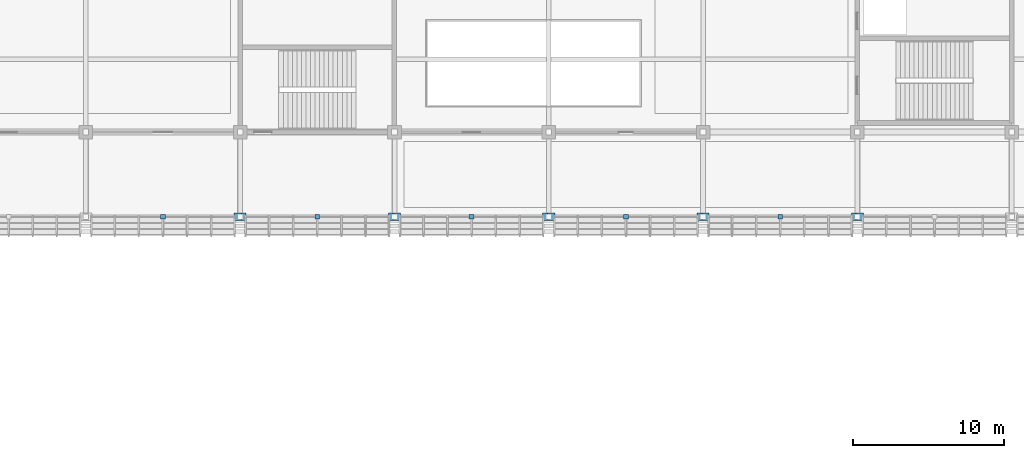
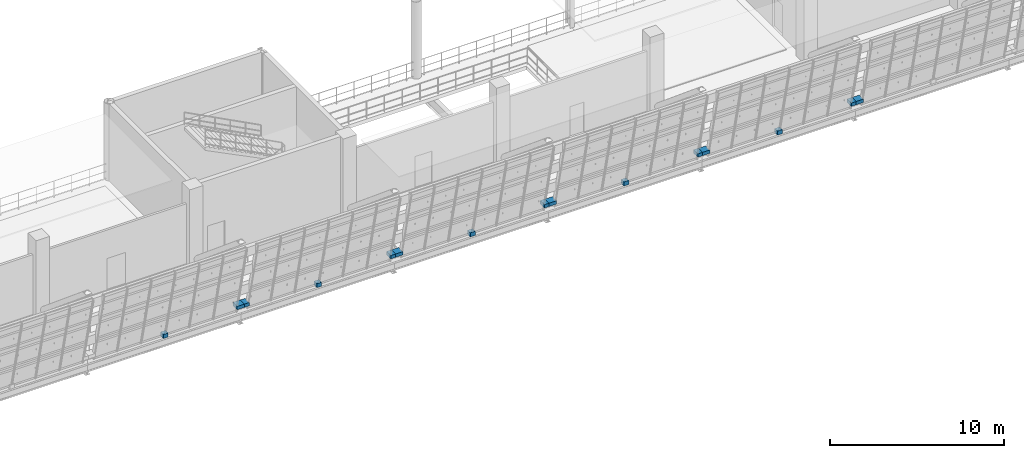
# One storey, part 143 of 175: 15 discrete accessories.
"""IFC4 building model written with IfcOpenShell, lengths in metres."""

from ifc_helpers import new_model, si_unit, direction, frame, origin, origin_2d, place, context, subcontext, project, spatial, rectangle, extrude, material, type_object, element, save


model = new_model("IFC4")

# Units and contexts
model_context = context("Model", 3, precision=1e-05, world=origin(), true_north=direction((0.0, 1.0)))
body_context = subcontext(model_context, "Body", "Model", "MODEL_VIEW")
ifc_project = project(units=[si_unit("LENGTHUNIT", "METRE"), si_unit("AREAUNIT", "SQUARE_METRE"), si_unit("VOLUMEUNIT", "CUBIC_METRE"), si_unit("PLANEANGLEUNIT", "RADIAN"), si_unit("MASSUNIT", "GRAM", prefix="KILO")], contexts=[model_context])

# Site, building, storey
site_placement = place(None, origin())
site = spatial("IfcSite", under=ifc_project, at=site_placement, CompositionType="ELEMENT")
building_placement = place(site_placement, origin())
building = spatial("IfcBuilding", under=site, at=building_placement, Name="Brelvane Convention Centre", CompositionType="ELEMENT")
storey_placement = place(building_placement, frame((0.0, 0.0, 5.39990234375)))
storey = spatial("IfcBuildingStorey", under=building, at=storey_placement, Name="L01", CompositionType="ELEMENT", Elevation=5.39990234375)

# Discrete accessories
ifc_material = material(Name="Steel E350 (350 MPa)", Category="steel")
discrete_accessory_type = type_object("IfcDiscreteAccessoryType", Name="Facade Outrigger Bracket BRK-02", PredefinedType="BRACKET", material=ifc_material)
discrete_accessory_1_placement = place(storey_placement, frame((81.43994140625, 13.60009765625, 0.22998046875), z_axis=(0.0, 0.0, 1.0), x_axis=(1.0, 0.0, 0.0)))
element("IfcDiscreteAccessory", 1, at=discrete_accessory_1_placement, inside=storey, type_object=discrete_accessory_type, Name="Curtain Wall Anchor Bracket L01-HULL-S-L01-08-R", PredefinedType="BRACKET", context=body_context, shape_type="SweptSolid", body=[
    extrude(rectangle(XDim=0.47998046875, YDim=0.47998046875, at=origin_2d()), origin(), (0.0, 0.0, 1.0), 0.239990234375),
])
discrete_accessory_2_placement = place(storey_placement, frame((76.5, 13.60009765625, -0.14013671875), z_axis=(0.0, 0.0, 1.0), x_axis=(1.0, 0.0, 0.0)))
element("IfcDiscreteAccessory", 2, at=discrete_accessory_2_placement, inside=storey, type_object=discrete_accessory_type, Name="Curtain Wall Anchor Bracket L01-HULL-S-L01-08-B", PredefinedType="BRACKET", context=body_context, shape_type="SweptSolid", body=[
    extrude(rectangle(XDim=0.320068359375, YDim=0.320068359375, at=origin_2d()), origin(), (0.0, 0.0, 1.0), 0.280029296875),
])
for number, where, z_axis, x_axis, name in (
    (3, (81.760009765625, 13.60009765625, 0.22998046875), (0.0, 0.0, 1.0), (1.0, 0.0, 0.0), "Curtain Wall Anchor Bracket L01-HULL-S-L01-09-L"),
    (4, (91.639892578125, 13.60009765625, 0.22998046875), (0.0, 0.0, 1.0), (1.0, 0.0, 0.0), "Curtain Wall Anchor Bracket L01-HULL-S-L01-09-R"),
):
    element("IfcDiscreteAccessory", number, at=place(storey_placement, frame(where, z_axis=z_axis, x_axis=x_axis)), inside=storey, type_object=discrete_accessory_type, Name=name, PredefinedType="BRACKET", context=body_context, shape_type="SweptSolid", body=[
        extrude(rectangle(XDim=0.47998046875, YDim=0.47998046875, at=origin_2d()), origin(), (0.0, 0.0, 1.0), 0.239990234375),
    ])
discrete_accessory_3_placement = place(storey_placement, frame((86.699951171875, 13.60009765625, -0.14013671875), z_axis=(0.0, 0.0, 1.0), x_axis=(1.0, 0.0, 0.0)))
element("IfcDiscreteAccessory", 5, at=discrete_accessory_3_placement, inside=storey, type_object=discrete_accessory_type, Name="Curtain Wall Anchor Bracket L01-HULL-S-L01-09-B", PredefinedType="BRACKET", context=body_context, shape_type="SweptSolid", body=[
    extrude(rectangle(XDim=0.320068359375, YDim=0.320068359375, at=origin_2d()), origin(), (0.0, 0.0, 1.0), 0.280029296875),
])
for number, where, z_axis, x_axis, name in (
    (6, (91.9599609375, 13.60009765625, 0.22998046875), (0.0, 0.0, 1.0), (1.0, 0.0, 0.0), "Curtain Wall Anchor Bracket L01-HULL-S-L01-10-L"),
    (7, (101.840087890625, 13.60009765625, 0.22998046875), (0.0, 0.0, 1.0), (1.0, 0.0, 0.0), "Curtain Wall Anchor Bracket L01-HULL-S-L01-10-R"),
):
    element("IfcDiscreteAccessory", number, at=place(storey_placement, frame(where, z_axis=z_axis, x_axis=x_axis)), inside=storey, type_object=discrete_accessory_type, Name=name, PredefinedType="BRACKET", context=body_context, shape_type="SweptSolid", body=[
        extrude(rectangle(XDim=0.47998046875, YDim=0.47998046875, at=origin_2d()), origin(), (0.0, 0.0, 1.0), 0.239990234375),
    ])
discrete_accessory_4_placement = place(storey_placement, frame((96.89990234375, 13.60009765625, -0.14013671875), z_axis=(0.0, 0.0, 1.0), x_axis=(1.0, 0.0, 0.0)))
element("IfcDiscreteAccessory", 8, at=discrete_accessory_4_placement, inside=storey, type_object=discrete_accessory_type, Name="Curtain Wall Anchor Bracket L01-HULL-S-L01-10-B", PredefinedType="BRACKET", context=body_context, shape_type="SweptSolid", body=[
    extrude(rectangle(XDim=0.320068359375, YDim=0.320068359375, at=origin_2d()), origin(), (0.0, 0.0, 1.0), 0.280029296875),
])
for number, where, z_axis, x_axis, name in (
    (9, (102.159912109375, 13.60009765625, 0.22998046875), (0.0, 0.0, 1.0), (1.0, 0.0, 0.0), "Curtain Wall Anchor Bracket L01-HULL-S-L01-11-L"),
    (10, (112.0400390625, 13.60009765625, 0.22998046875), (0.0, 0.0, 1.0), (1.0, 0.0, 0.0), "Curtain Wall Anchor Bracket L01-HULL-S-L01-11-R"),
):
    element("IfcDiscreteAccessory", number, at=place(storey_placement, frame(where, z_axis=z_axis, x_axis=x_axis)), inside=storey, type_object=discrete_accessory_type, Name=name, PredefinedType="BRACKET", context=body_context, shape_type="SweptSolid", body=[
        extrude(rectangle(XDim=0.47998046875, YDim=0.47998046875, at=origin_2d()), origin(), (0.0, 0.0, 1.0), 0.239990234375),
    ])
discrete_accessory_5_placement = place(storey_placement, frame((107.10009765625, 13.60009765625, -0.14013671875), z_axis=(0.0, 0.0, 1.0), x_axis=(1.0, 0.0, 0.0)))
element("IfcDiscreteAccessory", 11, at=discrete_accessory_5_placement, inside=storey, type_object=discrete_accessory_type, Name="Curtain Wall Anchor Bracket L01-HULL-S-L01-11-B", PredefinedType="BRACKET", context=body_context, shape_type="SweptSolid", body=[
    extrude(rectangle(XDim=0.320068359375, YDim=0.320068359375, at=origin_2d()), origin(), (0.0, 0.0, 1.0), 0.280029296875),
])
for number, where, z_axis, x_axis, name in (
    (12, (112.360107421875, 13.60009765625, 0.22998046875), (0.0, 0.0, 1.0), (1.0, 0.0, 0.0), "Curtain Wall Anchor Bracket L01-HULL-S-L01-12-L"),
    (13, (122.239990234375, 13.60009765625, 0.22998046875), (0.0, 0.0, 1.0), (1.0, 0.0, 0.0), "Curtain Wall Anchor Bracket L01-HULL-S-L01-12-R"),
):
    element("IfcDiscreteAccessory", number, at=place(storey_placement, frame(where, z_axis=z_axis, x_axis=x_axis)), inside=storey, type_object=discrete_accessory_type, Name=name, PredefinedType="BRACKET", context=body_context, shape_type="SweptSolid", body=[
        extrude(rectangle(XDim=0.47998046875, YDim=0.47998046875, at=origin_2d()), origin(), (0.0, 0.0, 1.0), 0.239990234375),
    ])
discrete_accessory_6_placement = place(storey_placement, frame((117.300048828125, 13.60009765625, -0.14013671875), z_axis=(0.0, 0.0, 1.0), x_axis=(1.0, 0.0, 0.0)))
element("IfcDiscreteAccessory", 14, at=discrete_accessory_6_placement, inside=storey, type_object=discrete_accessory_type, Name="Curtain Wall Anchor Bracket L01-HULL-S-L01-12-B", PredefinedType="BRACKET", context=body_context, shape_type="SweptSolid", body=[
    extrude(rectangle(XDim=0.320068359375, YDim=0.320068359375, at=origin_2d()), origin(), (0.0, 0.0, 1.0), 0.280029296875),
])
discrete_accessory_7_placement = place(storey_placement, frame((122.56005859375, 13.60009765625, 0.22998046875), z_axis=(0.0, 0.0, 1.0), x_axis=(1.0, 0.0, 0.0)))
element("IfcDiscreteAccessory", 15, at=discrete_accessory_7_placement, inside=storey, type_object=discrete_accessory_type, Name="Curtain Wall Anchor Bracket L01-HULL-S-L01-13-L", PredefinedType="BRACKET", context=body_context, shape_type="SweptSolid", body=[
    extrude(rectangle(XDim=0.47998046875, YDim=0.47998046875, at=origin_2d()), origin(), (0.0, 0.0, 1.0), 0.239990234375),
])

save(model, "model.ifc")
